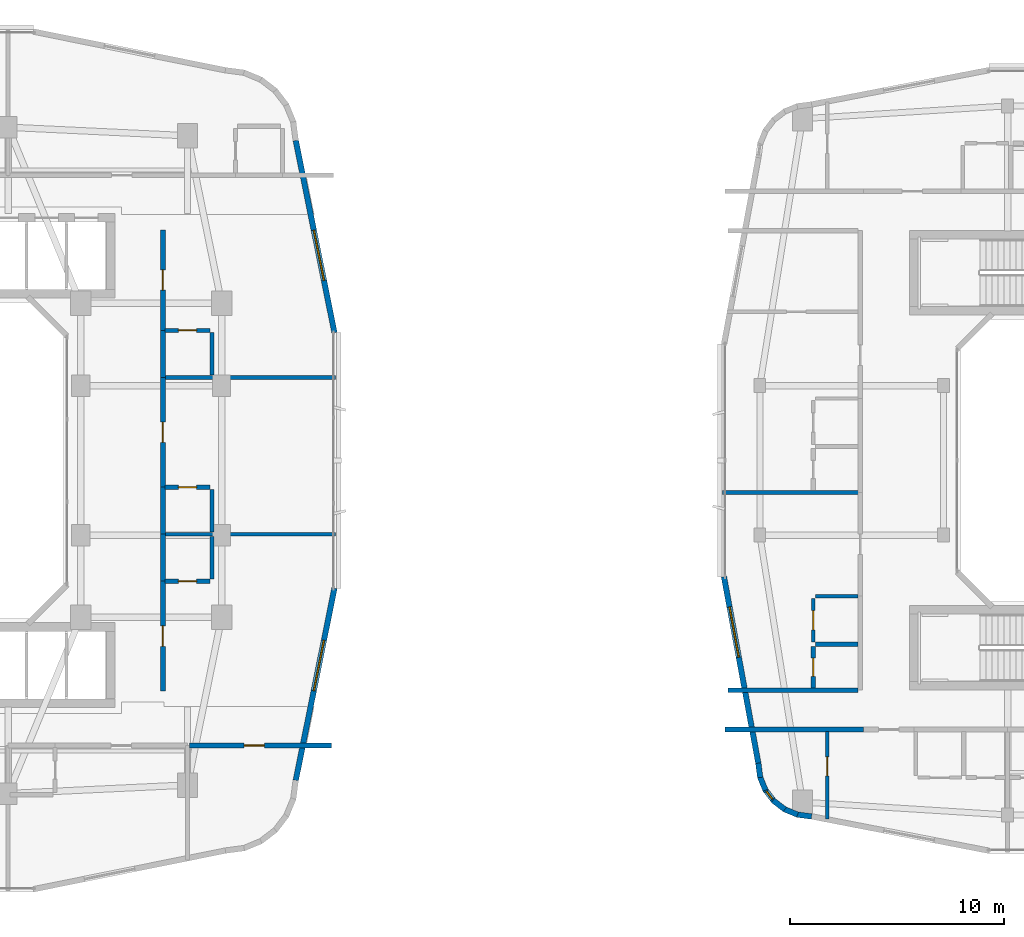
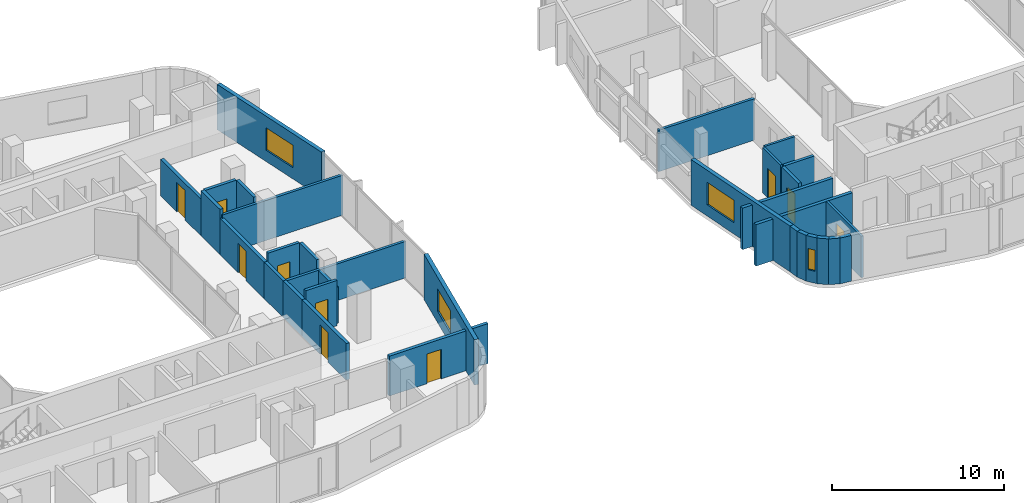
# One storey, part 14 of 26: 32 walls, 10 doors, 4 windows, 14 openings.
"""IFC4 building model written with IfcOpenShell, lengths in metres."""

from ifc_helpers import new_model, si_unit, derived_unit, direction, frame, frame_2d, origin, place, context, subcontext, project, spatial, rectangle, extrude, material, layer, layer_set, type_object, element, fill, save


model = new_model("IFC4")

# Units and contexts
model_context = context("Model", 3, precision=1e-05, world=origin(), true_north=direction((0.0, 1.0)))
body_context = subcontext(model_context, "Body", "Model", "MODEL_VIEW")
ifc_project = project(units=[si_unit("LENGTHUNIT", "METRE"), si_unit("AREAUNIT", "SQUARE_METRE"), si_unit("VOLUMEUNIT", "CUBIC_METRE"), si_unit("PLANEANGLEUNIT", "RADIAN"), si_unit("MASSUNIT", "GRAM", prefix="KILO"), derived_unit("THERMALTRANSMITTANCEUNIT", [(si_unit("POWERUNIT", "WATT"), 1), (si_unit("LENGTHUNIT", "METRE"), -2), (si_unit("THERMODYNAMICTEMPERATUREUNIT", "KELVIN"), -1)])], contexts=[model_context])

# Site, building, storey
site_placement = place(None, origin())
site = spatial("IfcSite", under=ifc_project, at=site_placement, CompositionType="ELEMENT")
building_placement = place(site_placement, origin())
building = spatial("IfcBuilding", under=site, at=building_placement, Name="Kivonza Crest Hotel", CompositionType="ELEMENT")
storey_placement = place(building_placement, frame((0.0, 0.0, 109.0)))
storey = spatial("IfcBuildingStorey", under=building, at=storey_placement, Name="L29", CompositionType="ELEMENT", Elevation=109.0)

# Walls
ifc_material_1 = material(Name="High-density acoustic masonry inter-tenancy wall", Category="masonry")
ifc_layer_1 = layer(ifc_material_1, 0.179931640625)
ifc_layer_set_1 = layer_set([ifc_layer_1], Name="High-density acoustic masonry inter-tenancy wall")
wall_type_1 = type_object("IfcWallType", Name="WL-ACOU-180", PredefinedType="SOLIDWALL", material=ifc_layer_set_1)
wall_1_placement = place(storey_placement, frame((33.050048828125, 21.5439453125, 0.0), z_axis=(0.0, 0.0, 1.0), x_axis=(1.0, 0.0, 0.0)))
element("IfcWall", 1, at=wall_1_placement, inside=storey, type_object=wall_type_1, Name="L29 interior partition WA-L29-T1E-DIV1", PredefinedType="SOLIDWALL", context=body_context, shape_type="SweptSolid", body=[
    extrude(rectangle(XDim=8.08984375, YDim=0.179931640625, at=frame_2d((4.044921875, 0.0))), origin(), (0.0, 0.0, 1.0), 2.594970703125),
])
wall_2_placement = place(storey_placement, frame((33.050048828125, 28.887939453125, 0.0), z_axis=(0.0, 0.0, 1.0), x_axis=(1.0, 0.0, 0.0)))
element("IfcWall", 2, at=wall_2_placement, inside=storey, type_object=wall_type_1, Name="L29 interior partition WA-L29-T1E-DIV2", PredefinedType="SOLIDWALL", context=body_context, shape_type="SweptSolid", body=[
    extrude(rectangle(XDim=8.08984375, YDim=0.179931640625, at=frame_2d((4.044921875, 0.0))), origin(), (0.0, 0.0, 1.0), 2.8349609375),
])
wall_3_placement = place(storey_placement, frame((59.260009765625, 23.5, 0.0), z_axis=(0.0, 0.0, 1.0), x_axis=(1.0, 0.0, 0.0)))
element("IfcWall", 3, at=wall_3_placement, inside=storey, type_object=wall_type_1, Name="L29 interior partition WA-L29-T2W-DIV1", PredefinedType="SOLIDWALL", context=body_context, shape_type="SweptSolid", body=[
    extrude(rectangle(XDim=6.43994140625, YDim=0.179931640625, at=frame_2d((3.219970703125, 0.0))), origin(), (0.0, 0.0, 1.0), 2.945068359375),
])

# Wall, opening, door
ifc_material_2 = material(Name="Autoclaved aerated concrete blockwork", Category="masonry")
ifc_layer_2 = layer(ifc_material_2, 0.219970703125)
ifc_layer_set_2 = layer_set([ifc_layer_2], Name="Autoclaved aerated concrete blockwork")
wall_type_2 = type_object("IfcWallType", Name="WL-ACOU-220", PredefinedType="SOLIDWALL", material=ifc_layer_set_2)
wall_4_placement = place(storey_placement, frame((34.300048828125, 11.64990234375, 0.0), z_axis=(0.0, 0.0, 1.0), x_axis=(1.0, 0.0, 0.0)))
wall_4 = element("IfcWall", 4, at=wall_4_placement, inside=storey, type_object=wall_type_2, Name="L29 interior partition WA-L29-BUS-MTG-N", PredefinedType="SOLIDWALL", context=body_context, shape_type="SweptSolid", body=[
    extrude(rectangle(XDim=6.639892578125, YDim=0.219970703125, at=frame_2d((3.31982421875, 0.0))), origin(), (0.0, 0.0, 1.0), 2.8349609375),
])
opening_1_placement = place(wall_4_placement, frame((2.550048828125, 0.0, 0.0)))
opening_1 = element("IfcOpeningElement", 5, at=opening_1_placement, cuts=wall_4, Name="Opening DF-60S", PredefinedType="OPENING", context=body_context, shape_type="SweptSolid", body=[
    extrude(rectangle(XDim=0.949951171875, YDim=2.10009765625, at=frame_2d((0.47509765625, 1.050048828125))), frame((0.0, 0.1201171875, 0.0), z_axis=(0.0, -1.0, 0.0), x_axis=(1.0, 0.0, 0.0)), (0.0, 0.0, 1.0), 0.239990234375),
])
ifc_material_3 = material(Name="Hardwood timber oak", Category="wood")
door_type_1 = type_object("IfcDoorType", Name="DR-FD60-950", OperationType="NOTDEFINED", PredefinedType="DOOR", material=ifc_material_3)
door_1_placement = place(opening_1_placement, frame((0.949951171875, 0.0, 0.0), z_axis=(0.0, 0.0, 1.0), x_axis=(-1.0, 0.0, 0.0)))
door_1 = element("IfcDoor", 6, at=door_1_placement, inside=storey, type_object=door_type_1, Name="L29 Private Fitness Gym Studio door", OperationType="SINGLE_SWING_RIGHT", OverallHeight=2.10009765625, OverallWidth=0.949951171875, PredefinedType="DOOR", context=body_context, shape_type="SweptSolid", body=[
    extrude(rectangle(XDim=0.949951171875, YDim=2.10009765625, at=frame_2d((0.47509765625, 1.050048828125))), frame((0.0, 0.02490234375, 0.0), z_axis=(0.0, -1.0, 0.0), x_axis=(1.0, 0.0, 0.0)), (0.0, 0.0, 1.0), 0.050048828125),
])
fill(opening_1, door_1)

# Wall
wall_5_placement = place(storey_placement, frame((33.050048828125, 19.343994140625, 0.0), z_axis=(0.0, 0.0, 1.0), x_axis=(0.0, 1.0, 0.0)))
element("IfcWall", 7, at=wall_5_placement, inside=storey, type_object=wall_type_2, Name="L29 interior partition WA-L29-E07-BCORR", PredefinedType="SOLIDWALL", context=body_context, shape_type="SweptSolid", body=[
    extrude(rectangle(XDim=2.199951171875, YDim=0.219970703125, at=frame_2d((1.10009765625, 0.0))), origin(), (0.0, 0.0, 1.0), 2.594970703125),
])

# Wall, opening, door
wall_6_placement = place(storey_placement, frame((33.050048828125, 14.199951171875, 0.0), z_axis=(0.0, 0.0, 1.0), x_axis=(0.0, 1.0, 0.0)))
wall_6 = element("IfcWall", 8, at=wall_6_placement, inside=storey, type_object=wall_type_2, Name="L29 interior partition WA-L29-E07-MCORR", PredefinedType="SOLIDWALL", context=body_context, shape_type="SweptSolid", body=[
    extrude(rectangle(XDim=5.14404296875, YDim=0.219970703125, at=frame_2d((2.572021484375, 0.0))), origin(), (0.0, 0.0, 1.0), 2.594970703125),
])
opening_2_placement = place(wall_6_placement, frame((2.096923828125, 0.0, 0.0)))
opening_2 = element("IfcOpeningElement", 9, at=opening_2_placement, cuts=wall_6, Name="Opening DU-60", PredefinedType="OPENING", context=body_context, shape_type="SweptSolid", body=[
    extrude(rectangle(XDim=0.949951171875, YDim=2.10009765625, at=frame_2d((0.47509765625, 1.050048828125))), frame((0.0, 0.1201171875, 0.0), z_axis=(0.0, -1.0, 0.0), x_axis=(1.0, 0.0, 0.0)), (0.0, 0.0, 1.0), 0.239990234375),
])
door_type_2 = type_object("IfcDoorType", Name="DR-UNIT-950", OperationType="NOTDEFINED", PredefinedType="DOOR", material=ifc_material_3)
door_2_placement = place(opening_2_placement, frame((0.949951171875, 0.0, 0.0), z_axis=(0.0, 0.0, 1.0), x_axis=(-1.0, 0.0, 0.0)))
door_2 = element("IfcDoor", 10, at=door_2_placement, inside=storey, type_object=door_type_2, Name="L29 E07 guest unit entrance fire door", OperationType="SINGLE_SWING_LEFT", OverallHeight=2.10009765625, OverallWidth=0.949951171875, PredefinedType="DOOR", context=body_context, shape_type="SweptSolid", body=[
    extrude(rectangle(XDim=0.949951171875, YDim=2.10009765625, at=frame_2d((0.47509765625, 1.050048828125))), frame((0.0, 0.02490234375, 0.0), z_axis=(0.0, -1.0, 0.0), x_axis=(1.0, 0.0, 0.0)), (0.0, 0.0, 1.0), 0.050048828125),
])
fill(opening_2, door_2)

# Wall
wall_7_placement = place(storey_placement, frame((33.050048828125, 21.5439453125, 0.0), z_axis=(0.0, 0.0, 1.0), x_axis=(0.0, 1.0, 0.0)))
element("IfcWall", 11, at=wall_7_placement, inside=storey, type_object=wall_type_2, Name="L29 interior partition WA-L29-E08-BCORR", PredefinedType="SOLIDWALL", context=body_context, shape_type="SweptSolid", body=[
    extrude(rectangle(XDim=2.199951171875, YDim=0.219970703125, at=frame_2d((1.10009765625, 0.0))), origin(), (0.0, 0.0, 1.0), 2.594970703125),
])

# Wall, opening, door
wall_8_placement = place(storey_placement, frame((33.050048828125, 23.743896484375, 0.0), z_axis=(0.0, 0.0, 1.0), x_axis=(0.0, 1.0, 0.0)))
wall_8 = element("IfcWall", 12, at=wall_8_placement, inside=storey, type_object=wall_type_2, Name="L29 interior partition WA-L29-E08-MCORR", PredefinedType="SOLIDWALL", context=body_context, shape_type="SweptSolid", body=[
    extrude(rectangle(XDim=5.14404296875, YDim=0.219970703125, at=frame_2d((2.572021484375, 0.0))), origin(), (0.0, 0.0, 1.0), 2.594970703125),
])
opening_3_placement = place(wall_8_placement, frame((2.096923828125, 0.0, 0.0)))
opening_3 = element("IfcOpeningElement", 13, at=opening_3_placement, cuts=wall_8, Name="Opening DU-60", PredefinedType="OPENING", context=body_context, shape_type="SweptSolid", body=[
    extrude(rectangle(XDim=0.949951171875, YDim=2.10009765625, at=frame_2d((0.47509765625, 1.050048828125))), frame((0.0, 0.1201171875, 0.0), z_axis=(0.0, -1.0, 0.0), x_axis=(1.0, 0.0, 0.0)), (0.0, 0.0, 1.0), 0.239990234375),
])
door_3_placement = place(opening_3_placement, frame((0.949951171875, 0.0, 0.0), z_axis=(0.0, 0.0, 1.0), x_axis=(-1.0, 0.0, 0.0)))
door_3 = element("IfcDoor", 14, at=door_3_placement, inside=storey, type_object=door_type_2, Name="L29 E08 guest unit entrance fire door", OperationType="SINGLE_SWING_RIGHT", OverallHeight=2.10009765625, OverallWidth=0.949951171875, PredefinedType="DOOR", context=body_context, shape_type="SweptSolid", body=[
    extrude(rectangle(XDim=0.949951171875, YDim=2.10009765625, at=frame_2d((0.47509765625, 1.050048828125))), frame((0.0, 0.02490234375, 0.0), z_axis=(0.0, -1.0, 0.0), x_axis=(1.0, 0.0, 0.0)), (0.0, 0.0, 1.0), 0.050048828125),
])
fill(opening_3, door_3)

# Wall
wall_9_placement = place(storey_placement, frame((33.050048828125, 28.887939453125, 0.0), z_axis=(0.0, 0.0, 1.0), x_axis=(0.0, 1.0, 0.0)))
element("IfcWall", 15, at=wall_9_placement, inside=storey, type_object=wall_type_2, Name="L29 interior partition WA-L29-E09-BCORR", PredefinedType="SOLIDWALL", context=body_context, shape_type="SweptSolid", body=[
    extrude(rectangle(XDim=2.199951171875, YDim=0.219970703125, at=frame_2d((1.10009765625, 0.0))), origin(), (0.0, 0.0, 1.0), 3.219970703125),
])

# Wall, opening, door
wall_10_placement = place(storey_placement, frame((33.050048828125, 31.087890625, 0.0), z_axis=(0.0, 0.0, 1.0), x_axis=(0.0, 1.0, 0.0)))
wall_10 = element("IfcWall", 16, at=wall_10_placement, inside=storey, type_object=wall_type_2, Name="L29 interior partition WA-L29-E09-MCORR", PredefinedType="SOLIDWALL", context=body_context, shape_type="SweptSolid", body=[
    extrude(rectangle(XDim=4.712158203125, YDim=0.219970703125, at=frame_2d((2.35595703125, 0.0))), origin(), (0.0, 0.0, 1.0), 2.594970703125),
])
opening_4_placement = place(wall_10_placement, frame((1.881103515625, 0.0, 0.0)))
opening_4 = element("IfcOpeningElement", 17, at=opening_4_placement, cuts=wall_10, Name="Opening DU-60", PredefinedType="OPENING", context=body_context, shape_type="SweptSolid", body=[
    extrude(rectangle(XDim=0.949951171875, YDim=2.10009765625, at=frame_2d((0.47509765625, 1.050048828125))), frame((0.0, 0.1201171875, 0.0), z_axis=(0.0, -1.0, 0.0), x_axis=(1.0, 0.0, 0.0)), (0.0, 0.0, 1.0), 0.239990234375),
])
door_4_placement = place(opening_4_placement, frame((0.949951171875, 0.0, 0.0), z_axis=(0.0, 0.0, 1.0), x_axis=(-1.0, 0.0, 0.0)))
door_4 = element("IfcDoor", 18, at=door_4_placement, inside=storey, type_object=door_type_2, Name="L29 E09 guest unit entrance fire door", OperationType="SINGLE_SWING_LEFT", OverallHeight=2.10009765625, OverallWidth=0.949951171875, PredefinedType="DOOR", context=body_context, shape_type="SweptSolid", body=[
    extrude(rectangle(XDim=0.949951171875, YDim=2.10009765625, at=frame_2d((0.47509765625, 1.050048828125))), frame((0.0, 0.02490234375, 0.0), z_axis=(0.0, -1.0, 0.0), x_axis=(1.0, 0.0, 0.0)), (0.0, 0.0, 1.0), 0.050048828125),
])
fill(opening_4, door_4)

# Walls
wall_11_placement = place(storey_placement, frame((59.360107421875, 12.39990234375, 0.0), z_axis=(0.0, 0.0, 1.0), x_axis=(1.0, 0.0, 0.0)))
element("IfcWall", 19, at=wall_11_placement, inside=storey, type_object=wall_type_2, Name="L29 interior partition WA-L29-A03-LCORR", PredefinedType="SOLIDWALL", context=body_context, shape_type="SweptSolid", body=[
    extrude(rectangle(XDim=6.489990234375, YDim=0.219970703125, at=frame_2d((3.2451171875, 0.0))), origin(), (0.0, 0.0, 1.0), 2.945068359375),
])
wall_12_placement = place(storey_placement, frame((59.52001953125, 14.239990234375, 0.0), z_axis=(0.0, 0.0, 1.0), x_axis=(1.0, 0.0, 0.0)))
element("IfcWall", 20, at=wall_12_placement, inside=storey, type_object=wall_type_2, Name="L29 interior partition WA-L29-T2W-ENDS", PredefinedType="SOLIDWALL", context=body_context, shape_type="SweptSolid", body=[
    extrude(rectangle(XDim=6.080078125, YDim=0.219970703125, at=frame_2d((3.0400390625, 0.0))), origin(), (0.0, 0.0, 1.0), 2.945068359375),
])

# Wall, opening, window
ifc_material_4 = material(Name="Precast concrete C40/50", Category="concrete")
ifc_layer_3 = layer(ifc_material_4, 0.260009765625)
ifc_layer_set_3 = layer_set([ifc_layer_3], Name="Precast concrete C40/50")
wall_type_3 = type_object("IfcWallType", Name="WL-EXT-260", PredefinedType="STANDARD", material=ifc_layer_set_3)
wall_13_placement = place(storey_placement, frame((39.27099609375, 10.01806640625, 0.0), z_axis=(0.0, 0.0, 1.0), x_axis=(0.197435082048, 0.980315963543, 0.0)))
wall_13 = element("IfcWall", 21, at=wall_13_placement, inside=storey, type_object=wall_type_3, Name="L29 T1 exterior insulated wall 16", PredefinedType="STANDARD", context=body_context, shape_type="SweptSolid", body=[
    extrude(rectangle(XDim=9.1826171875, YDim=0.260009765625, at=frame_2d((4.59130859375, 0.0))), origin(), (0.0, 0.0, 1.0), 3.219970703125),
])
opening_5_placement = place(wall_13_placement, frame((4.285888671875, 0.0, 0.800048828125)))
opening_5 = element("IfcOpeningElement", 22, at=opening_5_placement, cuts=wall_13, Name="Opening WN-05", PredefinedType="OPENING", context=body_context, shape_type="SweptSolid", body=[
    extrude(rectangle(XDim=2.39990234375, YDim=1.60009765625, at=frame_2d((1.199951171875, 0.800048828125))), frame((0.0, 0.14013671875, 0.0), z_axis=(0.0, -1.0, 0.0), x_axis=(1.0, 0.0, 0.0)), (0.0, 0.0, 1.0), 0.280029296875),
])
ifc_material_5 = material(Name="Thermally broken bronze aluminium and low-E double glazing", Category="aluminium")
window_type_1 = type_object("IfcWindowType", Name="WN-240x160", PartitioningType="TRIPLE_PANEL_VERTICAL", PredefinedType="WINDOW", material=ifc_material_5)
window_1_placement = place(opening_5_placement, origin())
window_1 = element("IfcWindow", 23, at=window_1_placement, inside=storey, type_object=window_type_1, Name="L29 T1 facade window 16", OverallHeight=1.60009765625, OverallWidth=2.39990234375, PartitioningType="SINGLE_PANEL", PredefinedType="WINDOW", context=body_context, shape_type="SweptSolid", body=[
    extrude(rectangle(XDim=2.39990234375, YDim=1.60009765625, at=frame_2d((1.199951171875, 0.800048828125))), frame((0.0, 0.030029296875, 0.0), z_axis=(0.0, -1.0, 0.0), x_axis=(1.0, 0.0, 0.0)), (0.0, 0.0, 1.0), 0.06005859375),
])
fill(opening_5, window_1)

wall_14_placement = place(storey_placement, frame((41.083984375, 30.97998046875, 0.0), z_axis=(0.0, 0.0, 1.0), x_axis=(-0.197435082048, 0.980315963543, 0.0)))
wall_14 = element("IfcWall", 24, at=wall_14_placement, inside=storey, type_object=wall_type_3, Name="L29 T1 exterior insulated wall 18", PredefinedType="STANDARD", context=body_context, shape_type="SweptSolid", body=[
    extrude(rectangle(XDim=9.1826171875, YDim=0.260009765625, at=frame_2d((4.59130859375, 0.0))), origin(), (0.0, 0.0, 1.0), 3.219970703125),
])
opening_6_placement = place(wall_14_placement, frame((2.4970703125, 0.0, 0.800048828125)))
opening_6 = element("IfcOpeningElement", 25, at=opening_6_placement, cuts=wall_14, Name="Opening WN-05", PredefinedType="OPENING", context=body_context, shape_type="SweptSolid", body=[
    extrude(rectangle(XDim=2.39990234375, YDim=1.60009765625, at=frame_2d((1.199951171875, 0.800048828125))), frame((0.0, 0.14013671875, 0.0), z_axis=(0.0, -1.0, 0.0), x_axis=(1.0, 0.0, 0.0)), (0.0, 0.0, 1.0), 0.280029296875),
])
window_2_placement = place(opening_6_placement, origin())
window_2 = element("IfcWindow", 26, at=window_2_placement, inside=storey, type_object=window_type_1, Name="L29 T1 facade window 18", OverallHeight=1.60009765625, OverallWidth=2.39990234375, PartitioningType="SINGLE_PANEL", PredefinedType="WINDOW", context=body_context, shape_type="SweptSolid", body=[
    extrude(rectangle(XDim=2.39990234375, YDim=1.60009765625, at=frame_2d((1.199951171875, 0.800048828125))), frame((0.0, 0.030029296875, 0.0), z_axis=(0.0, -1.0, 0.0), x_axis=(1.0, 0.0, 0.0)), (0.0, 0.0, 1.0), 0.06005859375),
])
fill(opening_6, window_2)

# Walls
wall_15_placement = place(storey_placement, frame((60.927978515625, 10.824951171875, 0.0), z_axis=(0.0, 0.0, 1.0), x_axis=(0.131667498923, -0.991293937098, 0.0)))
element("IfcWall", 27, at=wall_15_placement, inside=storey, type_object=wall_type_3, Name="L29 T2 exterior insulated wall 1", PredefinedType="STANDARD", context=body_context, shape_type="SweptSolid", body=[
    extrude(rectangle(XDim=0.6767578125, YDim=0.260009765625, at=frame_2d((0.33837890625, 0.0))), origin(), (0.0, 0.0, 1.0), 3.25),
])
wall_16_placement = place(storey_placement, frame((60.9990234375, 10.199951171875, 0.0), z_axis=(0.0, 0.0, 1.0), x_axis=(0.381988976935, -0.924166879681, 0.0)))
element("IfcWall", 28, at=wall_16_placement, inside=storey, type_object=wall_type_3, Name="L29 T2 exterior insulated wall 2", PredefinedType="STANDARD", context=body_context, shape_type="SweptSolid", body=[
    extrude(rectangle(XDim=0.693359375, YDim=0.260009765625, at=frame_2d((0.3466796875, 0.0))), origin(), (0.0, 0.0, 1.0), 3.25),
])

# Wall, opening, window
wall_17_placement = place(storey_placement, frame((61.236083984375, 9.59912109375, 0.0), z_axis=(0.0, 0.0, 1.0), x_axis=(0.609472651958, -0.792807092876, 0.0)))
wall_17 = element("IfcWall", 29, at=wall_17_placement, inside=storey, type_object=wall_type_3, Name="L29 T2 exterior insulated wall 3", PredefinedType="STANDARD", context=body_context, shape_type="SweptSolid", body=[
    extrude(rectangle(XDim=0.69384765625, YDim=0.260009765625, at=frame_2d((0.346923828125, 0.0))), origin(), (0.0, 0.0, 1.0), 3.25),
])
opening_7_placement = place(wall_17_placement, frame((0.1220703125, 0.0, 0.85009765625)))
opening_7 = element("IfcOpeningElement", 30, at=opening_7_placement, cuts=wall_17, Name="Opening WN-11", PredefinedType="OPENING", context=body_context, shape_type="SweptSolid", body=[
    extrude(rectangle(XDim=0.449951171875, YDim=1.5, at=frame_2d((0.22509765625, 0.75))), frame((0.0, 0.14013671875, 0.0), z_axis=(0.0, -1.0, 0.0), x_axis=(1.0, 0.0, 0.0)), (0.0, 0.0, 1.0), 0.280029296875),
])
window_type_2 = type_object("IfcWindowType", Name="WN-045x150", PartitioningType="SINGLE_PANEL", PredefinedType="WINDOW", material=ifc_material_5)
window_3_placement = place(opening_7_placement, origin())
window_3 = element("IfcWindow", 31, at=window_3_placement, inside=storey, type_object=window_type_2, Name="L29 corner vision window 4", OverallHeight=1.5, OverallWidth=0.449951171875, PartitioningType="SINGLE_PANEL", PredefinedType="WINDOW", context=body_context, shape_type="SweptSolid", body=[
    extrude(rectangle(XDim=0.449951171875, YDim=1.5, at=frame_2d((0.22509765625, 0.75))), frame((0.0, 0.030029296875, 0.0), z_axis=(0.0, -1.0, 0.0), x_axis=(1.0, 0.0, 0.0)), (0.0, 0.0, 1.0), 0.06005859375),
])
fill(opening_7, window_3)

# Walls
wall_18_placement = place(storey_placement, frame((61.62109375, 9.080078125, 0.0), z_axis=(0.0, 0.0, 1.0), x_axis=(0.792506234191, -0.609863811657, 0.0)))
element("IfcWall", 32, at=wall_18_placement, inside=storey, type_object=wall_type_3, Name="L29 T2 exterior insulated wall 4", PredefinedType="STANDARD", context=body_context, shape_type="SweptSolid", body=[
    extrude(rectangle(XDim=0.69384765625, YDim=0.260009765625, at=frame_2d((0.346923828125, 0.0))), origin(), (0.0, 0.0, 1.0), 3.25),
])
wall_19_placement = place(storey_placement, frame((62.126953125, 8.677978515625, 0.0), z_axis=(0.0, 0.0, 1.0), x_axis=(0.92421822618, -0.381864727877, 0.0)))
element("IfcWall", 33, at=wall_19_placement, inside=storey, type_object=wall_type_3, Name="L29 T2 exterior insulated wall 5", PredefinedType="STANDARD", context=body_context, shape_type="SweptSolid", body=[
    extrude(rectangle(XDim=0.693603515625, YDim=0.260009765625, at=frame_2d((0.3466796875, 0.0))), origin(), (0.0, 0.0, 1.0), 3.25),
])
wall_20_placement = place(storey_placement, frame((62.718994140625, 8.4208984375, 0.0), z_axis=(0.0, 0.0, 1.0), x_axis=(0.991433279471, -0.130614135366, 0.0)))
element("IfcWall", 34, at=wall_20_placement, inside=storey, type_object=wall_type_3, Name="L29 T2 exterior insulated wall 6", PredefinedType="STANDARD", context=body_context, shape_type="SweptSolid", body=[
    extrude(rectangle(XDim=0.712158203125, YDim=0.260009765625, at=frame_2d((0.35595703125, 0.0))), origin(), (0.0, 0.0, 1.0), 3.25),
])

# Wall, opening, window
wall_21_placement = place(storey_placement, frame((59.318115234375, 19.55810546875, 0.0), z_axis=(0.0, 0.0, 1.0), x_axis=(0.181209963057, -0.983444431215, 0.0)))
wall_21 = element("IfcWall", 35, at=wall_21_placement, inside=storey, type_object=wall_type_3, Name="L29 T2 exterior insulated wall 36", PredefinedType="STANDARD", context=body_context, shape_type="SweptSolid", body=[
    extrude(rectangle(XDim=8.889404296875, YDim=0.260009765625, at=frame_2d((4.44482421875, 0.0))), origin(), (0.0, 0.0, 1.0), 3.25),
])
opening_8_placement = place(wall_21_placement, frame((1.444091796875, 0.0, 0.800048828125)))
opening_8 = element("IfcOpeningElement", 36, at=opening_8_placement, cuts=wall_21, Name="Opening WN-05", PredefinedType="OPENING", context=body_context, shape_type="SweptSolid", body=[
    extrude(rectangle(XDim=2.39990234375, YDim=1.60009765625, at=frame_2d((1.199951171875, 0.800048828125))), frame((0.0, 0.14013671875, 0.0), z_axis=(0.0, -1.0, 0.0), x_axis=(1.0, 0.0, 0.0)), (0.0, 0.0, 1.0), 0.280029296875),
])
window_4_placement = place(opening_8_placement, origin())
window_4 = element("IfcWindow", 37, at=window_4_placement, inside=storey, type_object=window_type_1, Name="L29 T2 facade window 36", OverallHeight=1.60009765625, OverallWidth=2.39990234375, PartitioningType="SINGLE_PANEL", PredefinedType="WINDOW", context=body_context, shape_type="SweptSolid", body=[
    extrude(rectangle(XDim=2.39990234375, YDim=1.60009765625, at=frame_2d((1.199951171875, 0.800048828125))), frame((0.0, 0.030029296875, 0.0), z_axis=(0.0, -1.0, 0.0), x_axis=(1.0, 0.0, 0.0)), (0.0, 0.0, 1.0), 0.06005859375),
])
fill(opening_8, window_4)

# Wall, opening, door
ifc_material_6 = material(Name="Twin-stud acoustic gypsum board partition", Category="gypsum")
ifc_layer_4 = layer(ifc_material_6, 0.14990234375)
ifc_layer_set_4 = layer_set([ifc_layer_4], Name="Twin-stud acoustic gypsum board partition")
wall_type_4 = type_object("IfcWallType", Name="WL-PART-150", PredefinedType="PARTITIONING", material=ifc_layer_set_4)
wall_22_placement = place(storey_placement, frame((64.159912109375, 8.214111328125, 0.0), z_axis=(0.0, 0.0, 1.0), x_axis=(0.0, 1.0, 0.0)))
wall_22 = element("IfcWall", 38, at=wall_22_placement, inside=storey, type_object=wall_type_4, Name="L29 interior partition WP-L29-A03-BDW1", PredefinedType="PARTITIONING", context=body_context, shape_type="SweptSolid", body=[
    extrude(rectangle(XDim=4.0859375, YDim=0.14990234375, at=frame_2d((2.04296875, 0.0))), origin(), (0.0, 0.0, 1.0), 2.945068359375),
])
opening_9_placement = place(wall_22_placement, frame((2.010009765625, 0.0, 0.0)))
opening_9 = element("IfcOpeningElement", 39, at=opening_9_placement, cuts=wall_22, Name="Opening DI-90", PredefinedType="OPENING", context=body_context, shape_type="SweptSolid", body=[
    extrude(rectangle(XDim=0.89990234375, YDim=2.10009765625, at=frame_2d((0.449951171875, 1.050048828125))), frame((0.0, 0.0849609375, 0.0), z_axis=(0.0, -1.0, 0.0), x_axis=(1.0, 0.0, 0.0)), (0.0, 0.0, 1.0), 0.169921875),
])
door_type_3 = type_object("IfcDoorType", Name="DR-INT-900", OperationType="NOTDEFINED", PredefinedType="DOOR", material=ifc_material_3)
door_5_placement = place(opening_9_placement, origin())
door_5 = element("IfcDoor", 40, at=door_5_placement, inside=storey, type_object=door_type_3, Name="L29 A03 bedroom 1 door", OperationType="SINGLE_SWING_RIGHT", OverallHeight=2.10009765625, OverallWidth=0.89990234375, PredefinedType="DOOR", context=body_context, shape_type="SweptSolid", body=[
    extrude(rectangle(XDim=0.89990234375, YDim=2.10009765625, at=frame_2d((0.449951171875, 1.050048828125))), frame((0.0, 0.02490234375, 0.0), z_axis=(0.0, -1.0, 0.0), x_axis=(1.0, 0.0, 0.0)), (0.0, 0.0, 1.0), 0.050048828125),
])
fill(opening_9, door_5)

# Wall
wall_23_placement = place(storey_placement, frame((63.60009765625, 18.639892578125, 0.0), z_axis=(0.0, 0.0, 1.0), x_axis=(1.0, 0.0, 0.0)))
element("IfcWall", 41, at=wall_23_placement, inside=storey, type_object=wall_type_4, Name="L29 interior partition WP-L29-A06-KF", PredefinedType="PARTITIONING", context=body_context, shape_type="SweptSolid", body=[
    extrude(rectangle(XDim=2.0, YDim=0.14990234375, at=frame_2d((1.0, 0.0))), origin(), (0.0, 0.0, 1.0), 3.219970703125),
])

# Wall, opening, door
wall_24_placement = place(storey_placement, frame((63.5, 16.489990234375, 0.0), z_axis=(0.0, 0.0, 1.0), x_axis=(0.0, 1.0, 0.0)))
wall_24 = element("IfcWall", 42, at=wall_24_placement, inside=storey, type_object=wall_type_4, Name="L29 interior partition WP-L29-A06-KSVC", PredefinedType="PARTITIONING", context=body_context, shape_type="SweptSolid", body=[
    extrude(rectangle(XDim=2.050048828125, YDim=0.14990234375, at=frame_2d((1.02490234375, 0.0))), origin(), (0.0, 0.0, 1.0), 3.219970703125),
])
opening_10_placement = place(wall_24_placement, frame((0.574951171875, 0.0, 0.0)))
opening_10 = element("IfcOpeningElement", 43, at=opening_10_placement, cuts=wall_24, Name="Opening DI-90", PredefinedType="OPENING", context=body_context, shape_type="SweptSolid", body=[
    extrude(rectangle(XDim=0.89990234375, YDim=2.10009765625, at=frame_2d((0.449951171875, 1.050048828125))), frame((0.0, 0.0849609375, 0.0), z_axis=(0.0, -1.0, 0.0), x_axis=(1.0, 0.0, 0.0)), (0.0, 0.0, 1.0), 0.169921875),
])
door_6_placement = place(opening_10_placement, origin())
door_6 = element("IfcDoor", 44, at=door_6_placement, inside=storey, type_object=door_type_3, Name="L29 A06 apartment kitchen door", OperationType="SINGLE_SWING_RIGHT", OverallHeight=2.10009765625, OverallWidth=0.89990234375, PredefinedType="DOOR", context=body_context, shape_type="SweptSolid", body=[
    extrude(rectangle(XDim=0.89990234375, YDim=2.10009765625, at=frame_2d((0.449951171875, 1.050048828125))), frame((0.0, 0.02490234375, 0.0), z_axis=(0.0, -1.0, 0.0), x_axis=(1.0, 0.0, 0.0)), (0.0, 0.0, 1.0), 0.050048828125),
])
fill(opening_10, door_6)

ifc_material_7 = material(Name="Moisture-resistant plumbing chase partition wall", Category="gypsum")
ifc_layer_5 = layer(ifc_material_7, 0.199951171875)
ifc_layer_set_5 = layer_set([ifc_layer_5], Name="Moisture-resistant plumbing chase partition wall")
wall_type_5 = type_object("IfcWallType", Name="WL-PLUMB-200", PredefinedType="PLUMBINGWALL", material=ifc_layer_set_5)
wall_25_placement = place(storey_placement, frame((33.14990234375, 19.343994140625, 0.0), z_axis=(0.0, 0.0, 1.0), x_axis=(1.0, 0.0, 0.0)))
wall_25 = element("IfcWall", 45, at=wall_25_placement, inside=storey, type_object=wall_type_5, Name="L29 interior partition WW-L29-E07-BH", PredefinedType="PLUMBINGWALL", context=body_context, shape_type="SweptSolid", body=[
    extrude(rectangle(XDim=2.10009765625, YDim=0.199951171875, at=frame_2d((1.050048828125, 0.0))), origin(), (0.0, 0.0, 1.0), 3.219970703125),
])
opening_11_placement = place(wall_25_placement, frame((0.625, 0.0, 0.0)))
opening_11 = element("IfcOpeningElement", 46, at=opening_11_placement, cuts=wall_25, Name="Opening DI-85", PredefinedType="OPENING", context=body_context, shape_type="SweptSolid", body=[
    extrude(rectangle(XDim=0.85009765625, YDim=2.10009765625, at=frame_2d((0.425048828125, 1.050048828125))), frame((0.0, 0.10986328125, 0.0), z_axis=(0.0, -1.0, 0.0), x_axis=(1.0, 0.0, 0.0)), (0.0, 0.0, 1.0), 0.219970703125),
])
door_type_4 = type_object("IfcDoorType", Name="DR-INT-850", OperationType="NOTDEFINED", PredefinedType="DOOR", material=ifc_material_3)
door_7_placement = place(opening_11_placement, frame((0.85009765625, 0.0, 0.0), z_axis=(0.0, 0.0, 1.0), x_axis=(-1.0, 0.0, 0.0)))
door_7 = element("IfcDoor", 47, at=door_7_placement, inside=storey, type_object=door_type_4, Name="L29 E07 en-suite bathroom door", OperationType="SINGLE_SWING_RIGHT", OverallHeight=2.10009765625, OverallWidth=0.85009765625, PredefinedType="DOOR", context=body_context, shape_type="SweptSolid", body=[
    extrude(rectangle(XDim=0.85009765625, YDim=2.10009765625, at=frame_2d((0.425048828125, 1.050048828125))), frame((0.0, 0.02490234375, 0.0), z_axis=(0.0, -1.0, 0.0), x_axis=(1.0, 0.0, 0.0)), (0.0, 0.0, 1.0), 0.050048828125),
])
fill(opening_11, door_7)

# Wall
wall_26_placement = place(storey_placement, frame((35.35009765625, 19.444091796875, 0.0), z_axis=(0.0, 0.0, 1.0), x_axis=(0.0, 1.0, 0.0)))
element("IfcWall", 48, at=wall_26_placement, inside=storey, type_object=wall_type_5, Name="L29 interior partition WW-L29-E07-BV", PredefinedType="PLUMBINGWALL", context=body_context, shape_type="SweptSolid", body=[
    extrude(rectangle(XDim=2.0, YDim=0.199951171875, at=frame_2d((1.0, 0.0))), origin(), (0.0, 0.0, 1.0), 2.594970703125),
])

# Wall, opening, door
wall_27_placement = place(storey_placement, frame((33.14990234375, 23.743896484375, 0.0), z_axis=(0.0, 0.0, 1.0), x_axis=(1.0, 0.0, 0.0)))
wall_27 = element("IfcWall", 49, at=wall_27_placement, inside=storey, type_object=wall_type_5, Name="L29 interior partition WW-L29-E08-BH", PredefinedType="PLUMBINGWALL", context=body_context, shape_type="SweptSolid", body=[
    extrude(rectangle(XDim=2.10009765625, YDim=0.199951171875, at=frame_2d((1.050048828125, 0.0))), origin(), (0.0, 0.0, 1.0), 3.219970703125),
])
opening_12_placement = place(wall_27_placement, frame((0.625, 0.0, 0.0)))
opening_12 = element("IfcOpeningElement", 50, at=opening_12_placement, cuts=wall_27, Name="Opening DI-85", PredefinedType="OPENING", context=body_context, shape_type="SweptSolid", body=[
    extrude(rectangle(XDim=0.85009765625, YDim=2.10009765625, at=frame_2d((0.425048828125, 1.050048828125))), frame((0.0, 0.10986328125, 0.0), z_axis=(0.0, -1.0, 0.0), x_axis=(1.0, 0.0, 0.0)), (0.0, 0.0, 1.0), 0.219970703125),
])
door_8_placement = place(opening_12_placement, origin())
door_8 = element("IfcDoor", 51, at=door_8_placement, inside=storey, type_object=door_type_4, Name="L29 E08 en-suite bathroom door", OperationType="SINGLE_SWING_LEFT", OverallHeight=2.10009765625, OverallWidth=0.85009765625, PredefinedType="DOOR", context=body_context, shape_type="SweptSolid", body=[
    extrude(rectangle(XDim=0.85009765625, YDim=2.10009765625, at=frame_2d((0.425048828125, 1.050048828125))), frame((0.0, 0.02490234375, 0.0), z_axis=(0.0, -1.0, 0.0), x_axis=(1.0, 0.0, 0.0)), (0.0, 0.0, 1.0), 0.050048828125),
])
fill(opening_12, door_8)

# Wall
wall_28_placement = place(storey_placement, frame((35.35009765625, 21.64404296875, 0.0), z_axis=(0.0, 0.0, 1.0), x_axis=(0.0, 1.0, 0.0)))
element("IfcWall", 52, at=wall_28_placement, inside=storey, type_object=wall_type_5, Name="L29 interior partition WW-L29-E08-BV", PredefinedType="PLUMBINGWALL", context=body_context, shape_type="SweptSolid", body=[
    extrude(rectangle(XDim=2.0, YDim=0.199951171875, at=frame_2d((1.0, 0.0))), origin(), (0.0, 0.0, 1.0), 3.219970703125),
])

# Wall, opening, door
wall_29_placement = place(storey_placement, frame((33.14990234375, 31.087890625, 0.0), z_axis=(0.0, 0.0, 1.0), x_axis=(1.0, 0.0, 0.0)))
wall_29 = element("IfcWall", 53, at=wall_29_placement, inside=storey, type_object=wall_type_5, Name="L29 interior partition WW-L29-E09-BH", PredefinedType="PLUMBINGWALL", context=body_context, shape_type="SweptSolid", body=[
    extrude(rectangle(XDim=2.10009765625, YDim=0.199951171875, at=frame_2d((1.050048828125, 0.0))), origin(), (0.0, 0.0, 1.0), 3.219970703125),
])
opening_13_placement = place(wall_29_placement, frame((0.625, 0.0, 0.0)))
opening_13 = element("IfcOpeningElement", 54, at=opening_13_placement, cuts=wall_29, Name="Opening DI-85", PredefinedType="OPENING", context=body_context, shape_type="SweptSolid", body=[
    extrude(rectangle(XDim=0.85009765625, YDim=2.10009765625, at=frame_2d((0.425048828125, 1.050048828125))), frame((0.0, 0.10986328125, 0.0), z_axis=(0.0, -1.0, 0.0), x_axis=(1.0, 0.0, 0.0)), (0.0, 0.0, 1.0), 0.219970703125),
])
door_9_placement = place(opening_13_placement, origin())
door_9 = element("IfcDoor", 55, at=door_9_placement, inside=storey, type_object=door_type_4, Name="L29 E09 en-suite bathroom door", OperationType="SINGLE_SWING_RIGHT", OverallHeight=2.10009765625, OverallWidth=0.85009765625, PredefinedType="DOOR", context=body_context, shape_type="SweptSolid", body=[
    extrude(rectangle(XDim=0.85009765625, YDim=2.10009765625, at=frame_2d((0.425048828125, 1.050048828125))), frame((0.0, 0.02490234375, 0.0), z_axis=(0.0, -1.0, 0.0), x_axis=(1.0, 0.0, 0.0)), (0.0, 0.0, 1.0), 0.050048828125),
])
fill(opening_13, door_9)

# Walls
for number, where, z_axis, x_axis, name in (
    (56, (35.35009765625, 28.988037109375, 0.0), (0.0, 0.0, 1.0), (0.0, 1.0, 0.0), "L29 interior partition WW-L29-E09-BV"),
    (57, (63.60009765625, 16.389892578125, 0.0), (0.0, 0.0, 1.0), (1.0, 0.0, 0.0), "L29 interior partition WW-L29-A06-BK"),
):
    element("IfcWall", number, at=place(storey_placement, frame(where, z_axis=z_axis, x_axis=x_axis)), inside=storey, type_object=wall_type_5, Name=name, PredefinedType="PLUMBINGWALL", context=body_context, shape_type="SweptSolid", body=[
        extrude(rectangle(XDim=2.0, YDim=0.199951171875, at=frame_2d((1.0, 0.0))), origin(), (0.0, 0.0, 1.0), 3.219970703125),
    ])

# Wall, opening, door
wall_30_placement = place(storey_placement, frame((63.5, 14.340087890625, 0.0), z_axis=(0.0, 0.0, 1.0), x_axis=(0.0, 1.0, 0.0)))
wall_30 = element("IfcWall", 58, at=wall_30_placement, inside=storey, type_object=wall_type_5, Name="L29 interior partition WW-L29-A06-BSVC", PredefinedType="PLUMBINGWALL", context=body_context, shape_type="SweptSolid", body=[
    extrude(rectangle(XDim=1.949951171875, YDim=0.199951171875, at=frame_2d((0.97509765625, 0.0))), origin(), (0.0, 0.0, 1.0), 3.219970703125),
])
opening_14_placement = place(wall_30_placement, frame((0.550048828125, 0.0, 0.0)))
opening_14 = element("IfcOpeningElement", 59, at=opening_14_placement, cuts=wall_30, Name="Opening DI-85", PredefinedType="OPENING", context=body_context, shape_type="SweptSolid", body=[
    extrude(rectangle(XDim=0.85009765625, YDim=2.10009765625, at=frame_2d((0.425048828125, 1.050048828125))), frame((0.0, 0.10986328125, 0.0), z_axis=(0.0, -1.0, 0.0), x_axis=(1.0, 0.0, 0.0)), (0.0, 0.0, 1.0), 0.219970703125),
])
door_10_placement = place(opening_14_placement, origin())
door_10 = element("IfcDoor", 60, at=door_10_placement, inside=storey, type_object=door_type_4, Name="L29 A06 apartment bathroom door", OperationType="SINGLE_SWING_LEFT", OverallHeight=2.10009765625, OverallWidth=0.85009765625, PredefinedType="DOOR", context=body_context, shape_type="SweptSolid", body=[
    extrude(rectangle(XDim=0.85009765625, YDim=2.10009765625, at=frame_2d((0.425048828125, 1.050048828125))), frame((0.0, 0.02490234375, 0.0), z_axis=(0.0, -1.0, 0.0), x_axis=(1.0, 0.0, 0.0)), (0.0, 0.0, 1.0), 0.050048828125),
])
fill(opening_14, door_10)

save(model, "model.ifc")
